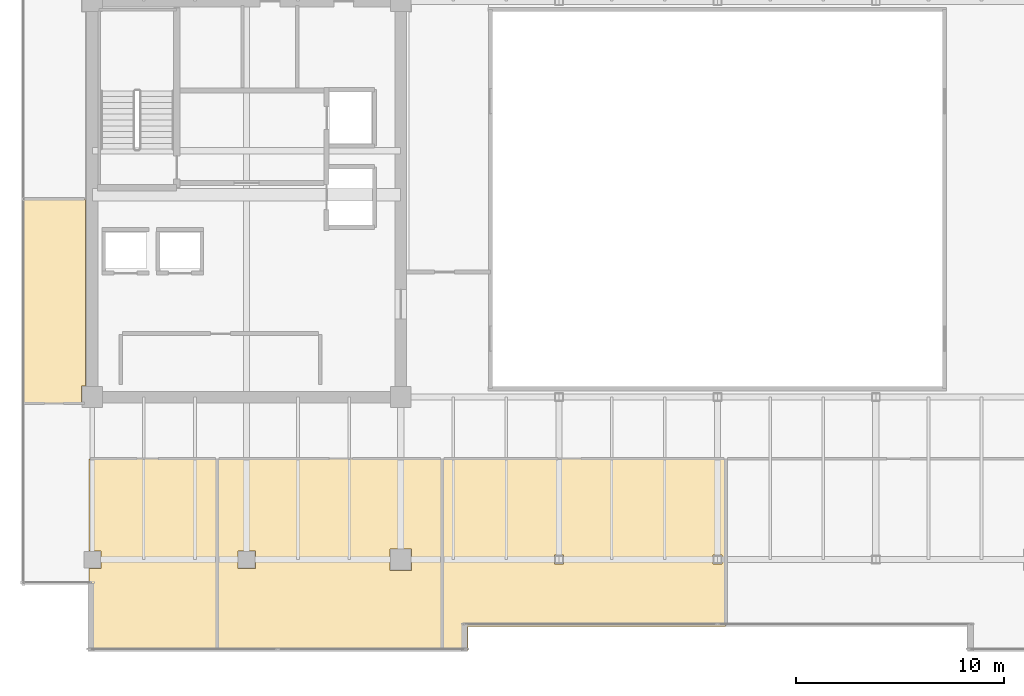
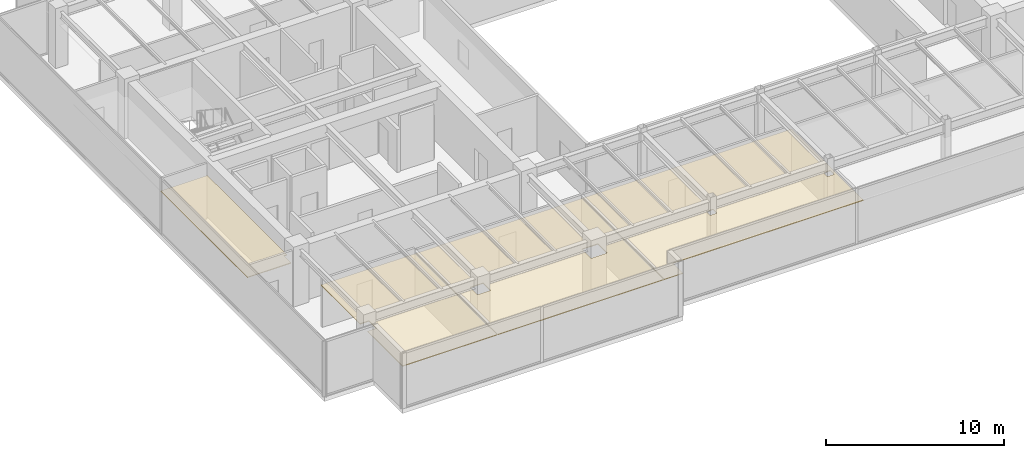
# One storey, part 32 of 36: 4 coverings.
"""IFC4 building model written with IfcOpenShell, lengths in metres."""

from ifc_helpers import new_model, si_unit, direction, frame, origin, place, context, subcontext, project, spatial, polyline, outline, extrude, material, layer, layer_set, type_object, element, save


model = new_model("IFC4")

# Units and contexts
model_context = context("Model", 3, precision=1e-05, world=origin(), true_north=direction((0.0, 1.0)))
body_context = subcontext(model_context, "Body", "Model", "MODEL_VIEW")
ifc_project = project(units=[si_unit("LENGTHUNIT", "METRE"), si_unit("AREAUNIT", "SQUARE_METRE"), si_unit("VOLUMEUNIT", "CUBIC_METRE"), si_unit("PLANEANGLEUNIT", "RADIAN"), si_unit("MASSUNIT", "GRAM", prefix="KILO")], contexts=[model_context])

# Site, building, storey
site_placement = place(None, origin())
site = spatial("IfcSite", under=ifc_project, at=site_placement, CompositionType="ELEMENT")
building_placement = place(site_placement, origin())
building = spatial("IfcBuilding", under=site, at=building_placement, Name="Haelvirn Gate Laboratories", CompositionType="ELEMENT")
storey_placement = place(building_placement, frame((0.0, 0.0, 262.89990234375)))
storey = spatial("IfcBuildingStorey", under=building, at=storey_placement, Name="L63", CompositionType="ELEMENT", Elevation=262.89990234375)

# Coverings
ifc_material = material(Name="Washable cleanroom gasketed aluminium ceiling", Category="aluminium")
ifc_layer = layer(ifc_material, 0.050048828125, Name="COV-CEIL-CLN")
ifc_layer_set = layer_set([ifc_layer], Name="Washable cleanroom gasketed aluminium ceiling")
covering_type = type_object("IfcCoveringType", Name="COV-CEIL-CLN", PredefinedType="CEILING", material=ifc_layer_set)
covering_1_placement = place(storey_placement, frame((0.0, 0.0, 2.8701171875)))
element("IfcCovering", 1, at=covering_1_placement, inside=storey, type_object=covering_type, Name="L63 Laboratory Acoustic Ceiling CEIL-SP-L63-S-01", PredefinedType="CEILING", context=body_context, shape_type="SweptSolid", body=[
    extrude(outline(polyline([(7.25, 11.830078125), (13.3798828125, 11.830078125), (13.3798828125, 2.64990234375), (7.25, 2.64990234375), (7.25, 6.580078125), (7.820068359375, 6.580078125), (7.820068359375, 7.419921875), (7.25, 7.419921875), (7.25, 11.830078125)])), origin(), (0.0, 0.0, 1.0), 0.050048828125),
])
covering_2_placement = place(storey_placement, frame((0.0, 0.0, 2.8701171875)))
element("IfcCovering", 2, at=covering_2_placement, inside=storey, type_object=covering_type, Name="L63 Laboratory Acoustic Ceiling CEIL-SP-L63-S-02", PredefinedType="CEILING", context=body_context, shape_type="SweptSolid", body=[
    extrude(outline(polyline([(13.419921875, 11.830078125), (24.179931640625, 11.830078125), (24.179931640625, 2.64990234375), (13.419921875, 2.64990234375), (13.419921875, 11.830078125)]), holes=[polyline([(14.3798828125, 7.419921875), (14.3798828125, 6.580078125), (15.219970703125, 6.580078125), (15.219970703125, 7.419921875), (14.3798828125, 7.419921875)]), polyline([(22.719970703125, 7.52001953125), (21.679931640625, 7.52001953125), (21.679931640625, 6.47998046875), (22.719970703125, 6.47998046875), (22.719970703125, 7.52001953125)])]), origin(), (0.0, 0.0, 1.0), 0.050048828125),
])
covering_3_placement = place(storey_placement, frame((0.0, 0.0, 2.8701171875)))
element("IfcCovering", 3, at=covering_3_placement, inside=storey, type_object=covering_type, Name="L63 Laboratory Acoustic Ceiling CEIL-SP-L63-S-03", PredefinedType="CEILING", context=body_context, shape_type="SweptSolid", body=[
    extrude(outline(polyline([(24.219970703125, 2.64990234375), (24.219970703125, 11.830078125), (37.780029296875, 11.830078125), (37.780029296875, 3.780029296875), (25.419921875, 3.780029296875), (25.419921875, 2.64990234375), (24.219970703125, 2.64990234375)]), holes=[polyline([(29.580078125, 7.219970703125), (29.580078125, 6.780029296875), (30.02001953125, 6.780029296875), (30.02001953125, 7.219970703125), (29.580078125, 7.219970703125)]), polyline([(37.6201171875, 7.219970703125), (37.179931640625, 7.219970703125), (37.179931640625, 6.780029296875), (37.6201171875, 6.780029296875), (37.6201171875, 7.219970703125)])]), origin(), (0.0, 0.0, 1.0), 0.050048828125),
])
covering_4_placement = place(storey_placement, frame((0.0, 0.0, 2.8701171875)))
element("IfcCovering", 4, at=covering_4_placement, inside=storey, type_object=covering_type, Name="L63 Laboratory Acoustic Ceiling CEIL-SP-L63-WZ3-S", PredefinedType="CEILING", context=body_context, shape_type="SweptSolid", body=[
    extrude(outline(polyline([(7.080078125, 24.2900390625), (7.080078125, 15.320068359375), (6.8798828125, 15.320068359375), (6.8798828125, 14.52490234375), (4.050048828125, 14.52490234375), (4.050048828125, 24.2900390625), (7.080078125, 24.2900390625)])), origin(), (0.0, 0.0, 1.0), 0.050048828125),
])

save(model, "model.ifc")
